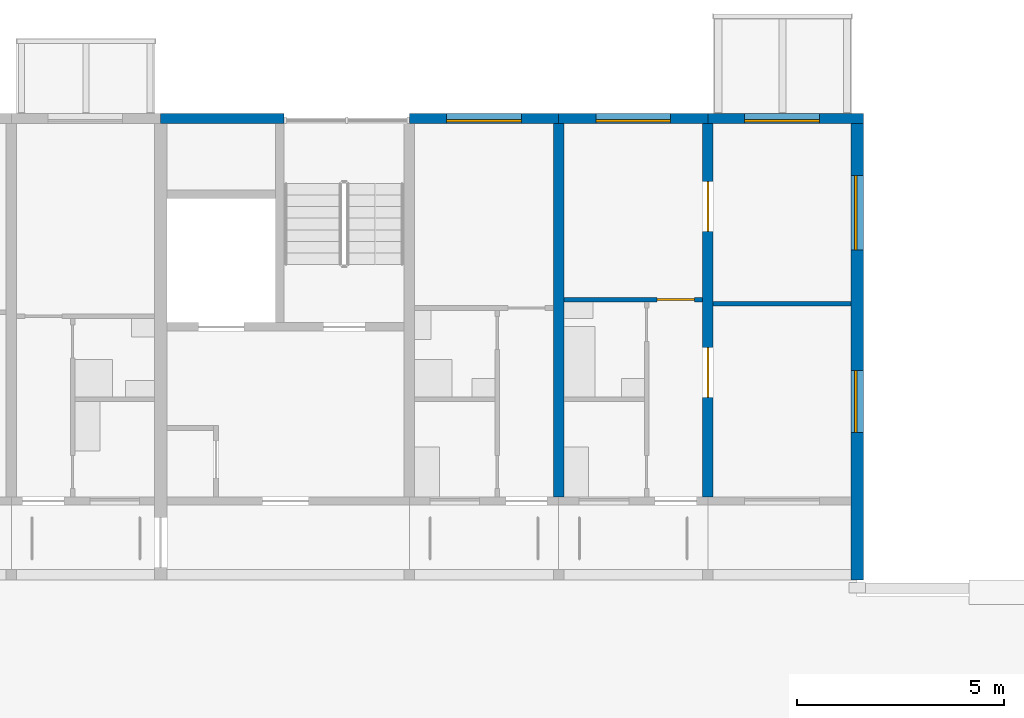
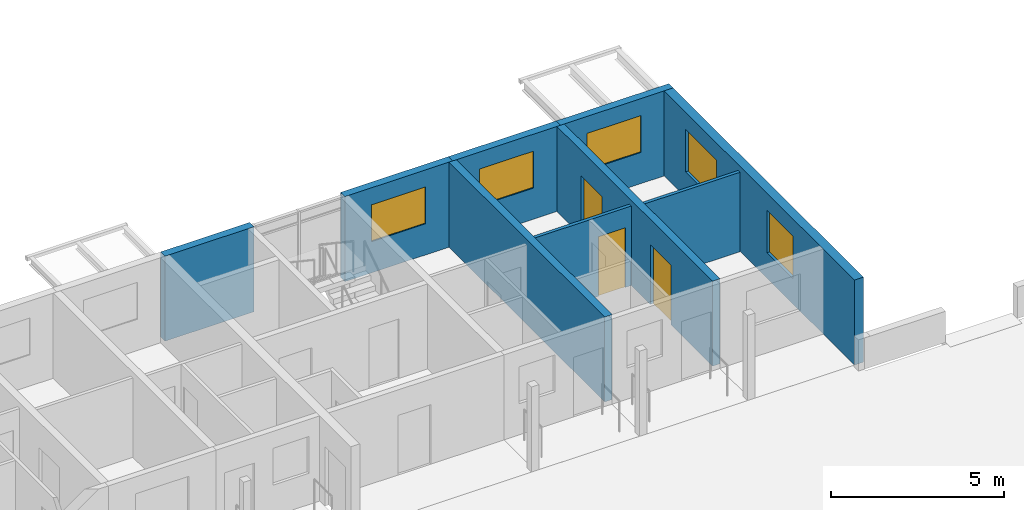
# One storey, part 65 of 115: 9 walls, 5 windows, 3 doors, 8 openings.
"""IFC4 building model written with IfcOpenShell, lengths in metres."""

from ifc_helpers import new_model, si_unit, direction, frame, frame_2d, origin, place, context, subcontext, project, spatial, rectangle, extrude, material, layer, layer_set, type_object, element, fill, save


model = new_model("IFC4")

# Units and contexts
model_context = context("Model", 3, precision=1e-05, world=origin(), true_north=direction((0.0, 1.0)))
body_context = subcontext(model_context, "Body", "Model", "MODEL_VIEW")
ifc_project = project(units=[si_unit("LENGTHUNIT", "METRE"), si_unit("AREAUNIT", "SQUARE_METRE"), si_unit("VOLUMEUNIT", "CUBIC_METRE"), si_unit("PLANEANGLEUNIT", "RADIAN"), si_unit("MASSUNIT", "GRAM", prefix="KILO")], contexts=[model_context])

# Site, building, storey
site_placement = place(None, origin())
site = spatial("IfcSite", under=ifc_project, at=site_placement, CompositionType="ELEMENT")
building_placement = place(site_placement, origin())
building = spatial("IfcBuilding", under=site, at=building_placement, Name="Ridgestep Commons", CompositionType="ELEMENT")
storey_placement = place(building_placement, frame((0.0, 0.0, 6.0)))
storey = spatial("IfcBuildingStorey", under=building, at=storey_placement, Name="L02", CompositionType="ELEMENT", Elevation=6.0)

# Wall
ifc_material_1 = material(Name="Precast concrete C40/50", Category="concrete")
ifc_layer_1 = layer(ifc_material_1, 0.25)
ifc_layer_set_1 = layer_set([ifc_layer_1], Name="Cross wall 250")
wall_type_1 = type_object("IfcWallType", Name="Cross wall 250", PredefinedType="SHEAR", material=ifc_layer_set_1)
wall_1_placement = place(storey_placement, frame((240.39990234375, 13.75, 0.0), z_axis=(0.0, 0.0, 1.0), x_axis=(0.0, 1.0, 0.0)))
element("IfcWall", 1, at=wall_1_placement, inside=storey, type_object=wall_type_1, Name="Cross wall D-02-2404", PredefinedType="SHEAR", context=body_context, shape_type="SweptSolid", body=[
    extrude(rectangle(XDim=9.0, YDim=0.25, at=frame_2d((4.5, 0.0))), origin(), (0.0, 0.0, 1.0), 3.0),
])

# Wall, openings, doors
wall_2_placement = place(storey_placement, frame((244.0, 13.75, 0.0), z_axis=(0.0, 0.0, 1.0), x_axis=(0.0, 1.0, 0.0)))
wall_2 = element("IfcWall", 2, at=wall_2_placement, inside=storey, type_object=wall_type_1, Name="Cross wall D-02-2440", PredefinedType="SHEAR", context=body_context, shape_type="SweptSolid", body=[
    extrude(rectangle(XDim=9.0, YDim=0.25, at=frame_2d((4.5, 0.0))), origin(), (0.0, 0.0, 1.0), 3.0),
])
opening_1_placement = place(wall_2_placement, frame((2.39990234375, 0.0, 0.0)))
opening_1 = element("IfcOpeningElement", 3, at=opening_1_placement, cuts=wall_2, Name="Opening D6-02a/5", PredefinedType="OPENING", context=body_context, shape_type="SweptSolid", body=[
    extrude(rectangle(XDim=1.199951171875, YDim=2.10009765625, at=frame_2d((0.60009765625, 1.050048828125))), frame((0.0, 0.135009765625, 0.0), z_axis=(0.0, -1.0, 0.0), x_axis=(1.0, 0.0, 0.0)), (0.0, 0.0, 1.0), 0.27001953125),
])
opening_2_placement = place(wall_2_placement, frame((6.39990234375, 0.0, 0.0)))
opening_2 = element("IfcOpeningElement", 4, at=opening_2_placement, cuts=wall_2, Name="Opening D6-02a/6", PredefinedType="OPENING", context=body_context, shape_type="SweptSolid", body=[
    extrude(rectangle(XDim=1.199951171875, YDim=2.10009765625, at=frame_2d((0.60009765625, 1.050048828125))), frame((0.0, 0.135009765625, 0.0), z_axis=(0.0, -1.0, 0.0), x_axis=(1.0, 0.0, 0.0)), (0.0, 0.0, 1.0), 0.27001953125),
])
ifc_material_2 = material(Name="Timber door leaf", Category="wood")
door_type_1 = type_object("IfcDoorType", Name="Double door 1200 x 2100", OperationType="DOUBLE_DOOR_SINGLE_SWING", PredefinedType="DOOR", material=ifc_material_2)
door_1_placement = place(opening_1_placement, origin())
door_1 = element("IfcDoor", 5, at=door_1_placement, inside=storey, type_object=door_type_1, Name="Double door D6-02a/5", OperationType="DOUBLE_DOOR_SINGLE_SWING", OverallHeight=2.10009765625, OverallWidth=1.199951171875, PredefinedType="DOOR", context=body_context, shape_type="SweptSolid", body=[
    extrude(rectangle(XDim=1.199951171875, YDim=2.10009765625, at=frame_2d((0.60009765625, 1.050048828125))), frame((0.0, 0.02490234375, 0.0), z_axis=(0.0, -1.0, 0.0), x_axis=(1.0, 0.0, 0.0)), (0.0, 0.0, 1.0), 0.050048828125),
])
fill(opening_1, door_1)
door_2_placement = place(opening_2_placement, origin())
door_2 = element("IfcDoor", 6, at=door_2_placement, inside=storey, type_object=door_type_1, Name="Double door D6-02a/6", OperationType="DOUBLE_DOOR_SINGLE_SWING", OverallHeight=2.10009765625, OverallWidth=1.199951171875, PredefinedType="DOOR", context=body_context, shape_type="SweptSolid", body=[
    extrude(rectangle(XDim=1.199951171875, YDim=2.10009765625, at=frame_2d((0.60009765625, 1.050048828125))), frame((0.0, 0.02490234375, 0.0), z_axis=(0.0, -1.0, 0.0), x_axis=(1.0, 0.0, 0.0)), (0.0, 0.0, 1.0), 0.050048828125),
])
fill(opening_2, door_2)

# Wall, openings, windows
ifc_material_3 = material(Name="Precast concrete C40/50", Category="concrete")
ifc_layer_2 = layer(ifc_material_3, 0.300048828125)
ifc_layer_set_2 = layer_set([ifc_layer_2], Name="Exposed division wall 300")
wall_type_2 = type_object("IfcWallType", Name="Exposed division wall 300", PredefinedType="SHEAR", material=ifc_layer_set_2)
wall_3_placement = place(storey_placement, frame((247.60009765625, 11.75, 0.0), z_axis=(0.0, 0.0, 1.0), x_axis=(0.0, 1.0, 0.0)))
wall_3 = element("IfcWall", 7, at=wall_3_placement, inside=storey, type_object=wall_type_2, Name="Cross wall D-02-2476", PredefinedType="SHEAR", context=body_context, shape_type="SweptSolid", body=[
    extrude(rectangle(XDim=11.0, YDim=0.300048828125, at=frame_2d((5.5, 0.0))), origin(), (0.0, 0.0, 1.0), 3.0),
])
opening_3_placement = place(wall_3_placement, frame((3.550048828125, 0.0, 0.89990234375)))
opening_3 = element("IfcOpeningElement", 8, at=opening_3_placement, cuts=wall_3, Name="Opening W16", PredefinedType="OPENING", context=body_context, shape_type="SweptSolid", body=[
    extrude(rectangle(XDim=1.5, YDim=1.5, at=frame_2d((0.75, 0.75))), frame((0.0, 0.159912109375, 0.0), z_axis=(0.0, -1.0, 0.0), x_axis=(1.0, 0.0, 0.0)), (0.0, 0.0, 1.0), 0.320068359375),
])
opening_4_placement = place(wall_3_placement, frame((7.955078125, 0.0, 0.89990234375)))
opening_4 = element("IfcOpeningElement", 9, at=opening_4_placement, cuts=wall_3, Name="Opening W20", PredefinedType="OPENING", context=body_context, shape_type="SweptSolid", body=[
    extrude(rectangle(XDim=1.800048828125, YDim=1.5, at=frame_2d((0.89990234375, 0.75))), frame((0.0, 0.159912109375, 0.0), z_axis=(0.0, -1.0, 0.0), x_axis=(1.0, 0.0, 0.0)), (0.0, 0.0, 1.0), 0.320068359375),
])
ifc_material_4 = material(Name="Aluminium 6063-T6 and glass", Category="aluminium")
window_type_1 = type_object("IfcWindowType", Name="Flat window 1500 x 1500", PartitioningType="DOUBLE_PANEL_VERTICAL", PredefinedType="WINDOW", material=ifc_material_4)
window_1_placement = place(opening_3_placement, origin())
window_1 = element("IfcWindow", 10, at=window_1_placement, inside=storey, type_object=window_type_1, Name="Window D6-02a 5", OverallHeight=1.5, OverallWidth=1.5, PartitioningType="SINGLE_PANEL", PredefinedType="WINDOW", context=body_context, shape_type="SweptSolid", body=[
    extrude(rectangle(XDim=1.5, YDim=1.5, at=frame_2d((0.75, 0.75))), frame((0.0, 0.06005859375, 0.0), z_axis=(0.0, -1.0, 0.0), x_axis=(1.0, 0.0, 0.0)), (0.0, 0.0, 1.0), 0.06005859375),
])
fill(opening_3, window_1)
ifc_material_5 = material(Name="Aluminium 6063-T6 and glass", Category="aluminium")
window_type_2 = type_object("IfcWindowType", Name="Flat window 1800 x 1500", PartitioningType="DOUBLE_PANEL_VERTICAL", PredefinedType="WINDOW", material=ifc_material_5)
window_2_placement = place(opening_4_placement, origin())
window_2 = element("IfcWindow", 11, at=window_2_placement, inside=storey, type_object=window_type_2, Name="Window D6-02a 6", OverallHeight=1.5, OverallWidth=1.800048828125, PartitioningType="SINGLE_PANEL", PredefinedType="WINDOW", context=body_context, shape_type="SweptSolid", body=[
    extrude(rectangle(XDim=1.800048828125, YDim=1.5, at=frame_2d((0.89990234375, 0.75))), frame((0.0, 0.06005859375, 0.0), z_axis=(0.0, -1.0, 0.0), x_axis=(1.0, 0.0, 0.0)), (0.0, 0.0, 1.0), 0.06005859375),
])
fill(opening_4, window_2)

# Wall
ifc_material_6 = material(Name="Precast concrete C40/50", Category="concrete")
ifc_layer_3 = layer(ifc_material_6, 0.25)
ifc_layer_set_3 = layer_set([ifc_layer_3], Name="North facade panel 250")
wall_type_3 = type_object("IfcWallType", Name="North facade panel 250", PredefinedType="SOLIDWALL", material=ifc_layer_set_3)
wall_4_placement = place(storey_placement, frame((230.800048828125, 22.875, 0.0), z_axis=(0.0, 0.0, 1.0), x_axis=(1.0, 0.0, 0.0)))
element("IfcWall", 12, at=wall_4_placement, inside=storey, type_object=wall_type_3, Name="North panel D6C L02", PredefinedType="SOLIDWALL", context=body_context, shape_type="SweptSolid", body=[
    extrude(rectangle(XDim=2.974853515625, YDim=0.25, at=frame_2d((1.4873046875, 0.0))), origin(), (0.0, 0.0, 1.0), 3.0),
])

# Wall, opening, window
wall_5_placement = place(storey_placement, frame((236.800048828125, 22.875, 0.0), z_axis=(0.0, 0.0, 1.0), x_axis=(1.0, 0.0, 0.0)))
wall_5 = element("IfcWall", 13, at=wall_5_placement, inside=storey, type_object=wall_type_3, Name="North panel D6T3 L02", PredefinedType="SOLIDWALL", context=body_context, shape_type="SweptSolid", body=[
    extrude(rectangle(XDim=3.599853515625, YDim=0.25, at=frame_2d((1.7998046875, 0.0))), origin(), (0.0, 0.0, 1.0), 3.0),
])
opening_5_placement = place(wall_5_placement, frame((0.89990234375, 0.0, 1.10009765625)))
opening_5 = element("IfcOpeningElement", 14, at=opening_5_placement, cuts=wall_5, Name="Opening W18", PredefinedType="OPENING", context=body_context, shape_type="SweptSolid", body=[
    extrude(rectangle(XDim=1.800048828125, YDim=1.300048828125, at=frame_2d((0.89990234375, 0.64990234375))), frame((0.0, 0.135009765625, 0.0), z_axis=(0.0, -1.0, 0.0), x_axis=(1.0, 0.0, 0.0)), (0.0, 0.0, 1.0), 0.27001953125),
])
ifc_material_7 = material(Name="Aluminium 6063-T6 and glass", Category="aluminium")
window_type_3 = type_object("IfcWindowType", Name="Flat window 1800 x 1300", PartitioningType="DOUBLE_PANEL_VERTICAL", PredefinedType="WINDOW", material=ifc_material_7)
window_3_placement = place(opening_5_placement, origin())
window_3 = element("IfcWindow", 15, at=window_3_placement, inside=storey, type_object=window_type_3, Name="Window D6-02b 2", OverallHeight=1.300048828125, OverallWidth=1.800048828125, PartitioningType="SINGLE_PANEL", PredefinedType="WINDOW", context=body_context, shape_type="SweptSolid", body=[
    extrude(rectangle(XDim=1.800048828125, YDim=1.300048828125, at=frame_2d((0.89990234375, 0.64990234375))), frame((0.0, -0.02490234375, 0.0), z_axis=(0.0, -1.0, 0.0), x_axis=(1.0, 0.0, 0.0)), (0.0, 0.0, 1.0), 0.06005859375),
])
fill(opening_5, window_3)

wall_6_placement = place(storey_placement, frame((240.39990234375, 22.875, 0.0), z_axis=(0.0, 0.0, 1.0), x_axis=(1.0, 0.0, 0.0)))
wall_6 = element("IfcWall", 16, at=wall_6_placement, inside=storey, type_object=wall_type_3, Name="North panel D6T2 L02", PredefinedType="SOLIDWALL", context=body_context, shape_type="SweptSolid", body=[
    extrude(rectangle(XDim=3.60009765625, YDim=0.25, at=frame_2d((1.800048828125, 0.0))), origin(), (0.0, 0.0, 1.0), 3.0),
])
opening_6_placement = place(wall_6_placement, frame((0.89990234375, 0.0, 1.10009765625)))
opening_6 = element("IfcOpeningElement", 17, at=opening_6_placement, cuts=wall_6, Name="Opening W18", PredefinedType="OPENING", context=body_context, shape_type="SweptSolid", body=[
    extrude(rectangle(XDim=1.800048828125, YDim=1.300048828125, at=frame_2d((0.89990234375, 0.64990234375))), frame((0.0, 0.135009765625, 0.0), z_axis=(0.0, -1.0, 0.0), x_axis=(1.0, 0.0, 0.0)), (0.0, 0.0, 1.0), 0.27001953125),
])
window_4_placement = place(opening_6_placement, origin())
window_4 = element("IfcWindow", 18, at=window_4_placement, inside=storey, type_object=window_type_3, Name="Window D6-02a 4", OverallHeight=1.300048828125, OverallWidth=1.800048828125, PartitioningType="SINGLE_PANEL", PredefinedType="WINDOW", context=body_context, shape_type="SweptSolid", body=[
    extrude(rectangle(XDim=1.800048828125, YDim=1.300048828125, at=frame_2d((0.89990234375, 0.64990234375))), frame((0.0, -0.02490234375, 0.0), z_axis=(0.0, -1.0, 0.0), x_axis=(1.0, 0.0, 0.0)), (0.0, 0.0, 1.0), 0.06005859375),
])
fill(opening_6, window_4)

wall_7_placement = place(storey_placement, frame((244.0, 22.875, 0.0), z_axis=(0.0, 0.0, 1.0), x_axis=(1.0, 0.0, 0.0)))
wall_7 = element("IfcWall", 19, at=wall_7_placement, inside=storey, type_object=wall_type_3, Name="North panel D6T1 L02", PredefinedType="SOLIDWALL", context=body_context, shape_type="SweptSolid", body=[
    extrude(rectangle(XDim=3.75, YDim=0.25, at=frame_2d((1.875, 0.0))), origin(), (0.0, 0.0, 1.0), 3.0),
])
opening_7_placement = place(wall_7_placement, frame((0.887451171875, 0.0, 1.10009765625)))
opening_7 = element("IfcOpeningElement", 20, at=opening_7_placement, cuts=wall_7, Name="Opening W18", PredefinedType="OPENING", context=body_context, shape_type="SweptSolid", body=[
    extrude(rectangle(XDim=1.800048828125, YDim=1.300048828125, at=frame_2d((0.89990234375, 0.64990234375))), frame((0.0, 0.135009765625, 0.0), z_axis=(0.0, -1.0, 0.0), x_axis=(1.0, 0.0, 0.0)), (0.0, 0.0, 1.0), 0.27001953125),
])
window_5_placement = place(opening_7_placement, origin())
window_5 = element("IfcWindow", 21, at=window_5_placement, inside=storey, type_object=window_type_3, Name="Window D6-02a 2", OverallHeight=1.300048828125, OverallWidth=1.800048828125, PartitioningType="SINGLE_PANEL", PredefinedType="WINDOW", context=body_context, shape_type="SweptSolid", body=[
    extrude(rectangle(XDim=1.800048828125, YDim=1.300048828125, at=frame_2d((0.89990234375, 0.64990234375))), frame((0.0, -0.02490234375, 0.0), z_axis=(0.0, -1.0, 0.0), x_axis=(1.0, 0.0, 0.0)), (0.0, 0.0, 1.0), 0.06005859375),
])
fill(opening_7, window_5)

# Wall, opening, door
ifc_material_8 = material(Name="Common brick 110 mm", Category="masonry")
ifc_layer_4 = layer(ifc_material_8, 0.110107421875)
ifc_layer_set_4 = layer_set([ifc_layer_4], Name="Partition 110")
wall_type_4 = type_object("IfcWallType", Name="Partition 110", PredefinedType="PARTITIONING", material=ifc_layer_set_4)
wall_8_placement = place(storey_placement, frame((240.52490234375, 18.5048828125, 0.0), z_axis=(0.0, 0.0, 1.0), x_axis=(1.0, 0.0, 0.0)))
wall_8 = element("IfcWall", 22, at=wall_8_placement, inside=storey, type_object=wall_type_4, Name="Partition D6-02a", PredefinedType="PARTITIONING", context=body_context, shape_type="SweptSolid", body=[
    extrude(rectangle(XDim=3.35009765625, YDim=0.110107421875, at=frame_2d((1.675048828125, 0.0))), origin(), (0.0, 0.0, 1.0), 2.800048828125),
])
opening_8_placement = place(wall_8_placement, frame((2.25, 0.0, 0.0)))
opening_8 = element("IfcOpeningElement", 23, at=opening_8_placement, cuts=wall_8, Name="Opening D6-02a/4", PredefinedType="OPENING", context=body_context, shape_type="SweptSolid", body=[
    extrude(rectangle(XDim=0.89990234375, YDim=2.10009765625, at=frame_2d((0.449951171875, 1.050048828125))), frame((0.0, 0.06494140625, 0.0), z_axis=(0.0, -1.0, 0.0), x_axis=(1.0, 0.0, 0.0)), (0.0, 0.0, 1.0), 0.130126953125),
])
ifc_material_9 = material(Name="Timber door leaf", Category="wood")
door_type_2 = type_object("IfcDoorType", Name="Internal door 900 x 2100", OperationType="NOTDEFINED", PredefinedType="DOOR", material=ifc_material_9)
door_3_placement = place(opening_8_placement, origin())
door_3 = element("IfcDoor", 24, at=door_3_placement, inside=storey, type_object=door_type_2, Name="Internal door D6-02a/4", OperationType="SINGLE_SWING_LEFT", OverallHeight=2.10009765625, OverallWidth=0.89990234375, PredefinedType="DOOR", context=body_context, shape_type="SweptSolid", body=[
    extrude(rectangle(XDim=0.89990234375, YDim=2.10009765625, at=frame_2d((0.449951171875, 1.050048828125))), frame((0.0, 0.02490234375, 0.0), z_axis=(0.0, -1.0, 0.0), x_axis=(1.0, 0.0, 0.0)), (0.0, 0.0, 1.0), 0.050048828125),
])
fill(opening_8, door_3)

# Wall
wall_9_placement = place(storey_placement, frame((244.125, 18.405029296875, 0.0), z_axis=(0.0, 0.0, 1.0), x_axis=(1.0, 0.0, 0.0)))
element("IfcWall", 25, at=wall_9_placement, inside=storey, type_object=wall_type_4, Name="Partition D6-02a", PredefinedType="PARTITIONING", context=body_context, shape_type="SweptSolid", body=[
    extrude(rectangle(XDim=3.324951171875, YDim=0.110107421875, at=frame_2d((1.66259765625, 0.0))), origin(), (0.0, 0.0, 1.0), 2.800048828125),
])

save(model, "model.ifc")
